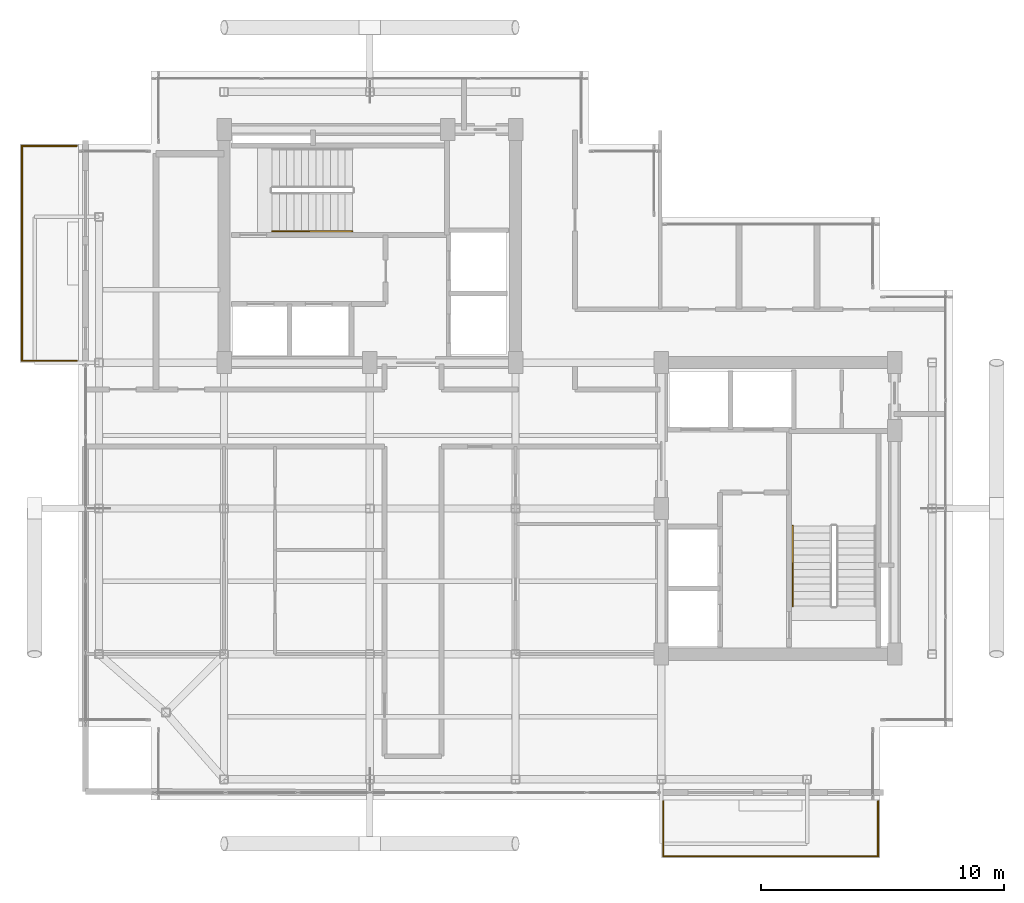
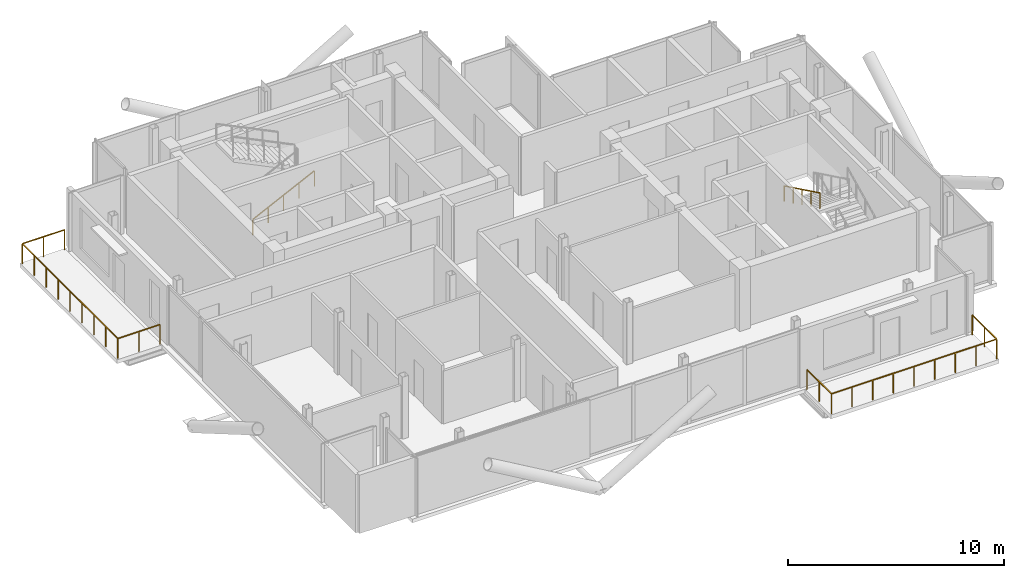
# One storey, part 17 of 18: 4 railings.
"""IFC4 building model written with IfcOpenShell, lengths in metres."""

from ifc_helpers import new_model, si_unit, direction, frame, origin, origin_2d, place, context, subcontext, project, spatial, rectangle, extrude, material, type_object, element, save


model = new_model("IFC4")

# Units and contexts
model_context = context("Model", 3, precision=1e-05, world=origin(), true_north=direction((0.0, 1.0)))
body_context = subcontext(model_context, "Body", "Model", "MODEL_VIEW")
ifc_project = project(units=[si_unit("LENGTHUNIT", "METRE"), si_unit("AREAUNIT", "SQUARE_METRE"), si_unit("VOLUMEUNIT", "CUBIC_METRE"), si_unit("PLANEANGLEUNIT", "RADIAN"), si_unit("MASSUNIT", "GRAM", prefix="KILO"), si_unit("THERMODYNAMICTEMPERATUREUNIT", "KELVIN"), si_unit("POWERUNIT", "WATT")], contexts=[model_context])

# Site, building, storey
site_placement = place(None, origin())
site = spatial("IfcSite", under=ifc_project, at=site_placement, CompositionType="ELEMENT")
building_placement = place(site_placement, origin())
building = spatial("IfcBuilding", under=site, at=building_placement, Name="Svarakhadi Broadcast Tower", CompositionType="ELEMENT")
storey_placement = place(building_placement, frame((0.0, 0.0, 246.699951171875)))
storey = spatial("IfcBuildingStorey", under=building, at=storey_placement, Name="L61", CompositionType="ELEMENT", Elevation=246.699951171875)

# Railings
ifc_material_1 = material(Name="Laminated Structural SentryGlas Balustrade 25.5 mm", Category="glass")
railing_type_1 = type_object("IfcRailingType", Name="Guard_Balcony_GR01", PredefinedType="BALUSTRADE", material=ifc_material_1)
railing_1_placement = place(storey_placement, frame((24.080078125, -0.06005859375, 0.0)))
element("IfcRailing", 1, at=railing_1_placement, inside=storey, type_object=railing_type_1, Name="L61 South Tree Balcony Guard GR-05", PredefinedType="BALUSTRADE", context=body_context, shape_type="SweptSolid", body=[
    extrude(rectangle(XDim=0.048095703125, YDim=0.048095703125, at=origin_2d()), frame((0.0, 0.0, 1.1259765625), z_axis=(0.0, -1.0, 0.0), x_axis=(1.0, 0.0, 0.0)), (0.0, 0.0, 1.0), 2.260009765625),
    extrude(rectangle(XDim=0.048095703125, YDim=0.048095703125, at=origin_2d()), frame((0.0, -2.260009765625, 1.1259765625), z_axis=(1.0, 0.0, 0.0), x_axis=(0.0, 1.0, 0.0)), (0.0, 0.0, 1.0), 8.83984375),
    extrude(rectangle(XDim=0.048095703125, YDim=0.048095703125, at=origin_2d()), frame((8.83984375, -2.260009765625, 1.1259765625), z_axis=(0.0, 1.0, 0.0), x_axis=(-1.0, 0.0, 0.0)), (0.0, 0.0, 1.0), 2.260009765625),
    extrude(rectangle(XDim=0.0419921875, YDim=0.0419921875, at=origin_2d()), origin(), (0.0, 0.0, 1.0), 1.101806640625),
    extrude(rectangle(XDim=0.0419921875, YDim=0.0419921875, at=origin_2d()), frame((0.0, -1.1298828125, 0.0)), (0.0, 0.0, 1.0), 1.101806640625),
    extrude(rectangle(XDim=0.0419921875, YDim=0.0419921875, at=origin_2d()), frame((0.0, -2.260009765625, 0.0)), (0.0, 0.0, 1.0), 1.101806640625),
    extrude(rectangle(XDim=0.0419921875, YDim=0.0419921875, at=origin_2d()), frame((1.10498046875, -2.260009765625, 0.0)), (0.0, 0.0, 1.0), 1.101806640625),
    extrude(rectangle(XDim=0.0419921875, YDim=0.0419921875, at=origin_2d()), frame((2.2099609375, -2.260009765625, 0.0)), (0.0, 0.0, 1.0), 1.101806640625),
    extrude(rectangle(XDim=0.0419921875, YDim=0.0419921875, at=origin_2d()), frame((3.31494140625, -2.260009765625, 0.0)), (0.0, 0.0, 1.0), 1.101806640625),
    extrude(rectangle(XDim=0.0419921875, YDim=0.0419921875, at=origin_2d()), frame((4.419921875, -2.260009765625, 0.0)), (0.0, 0.0, 1.0), 1.101806640625),
    extrude(rectangle(XDim=0.0419921875, YDim=0.0419921875, at=origin_2d()), frame((5.52490234375, -2.260009765625, 0.0)), (0.0, 0.0, 1.0), 1.101806640625),
    extrude(rectangle(XDim=0.0419921875, YDim=0.0419921875, at=origin_2d()), frame((6.6298828125, -2.260009765625, 0.0)), (0.0, 0.0, 1.0), 1.101806640625),
    extrude(rectangle(XDim=0.0419921875, YDim=0.0419921875, at=origin_2d()), frame((7.73486328125, -2.260009765625, 0.0)), (0.0, 0.0, 1.0), 1.101806640625),
    extrude(rectangle(XDim=0.0419921875, YDim=0.0419921875, at=origin_2d()), frame((8.83984375, -2.260009765625, 0.0)), (0.0, 0.0, 1.0), 1.101806640625),
    extrude(rectangle(XDim=0.0419921875, YDim=0.0419921875, at=origin_2d()), frame((8.83984375, -1.1298828125, 0.0)), (0.0, 0.0, 1.0), 1.101806640625),
    extrude(rectangle(XDim=0.0419921875, YDim=0.0419921875, at=origin_2d()), frame((8.83984375, 0.0, 0.0)), (0.0, 0.0, 1.0), 1.101806640625),
])
railing_2_placement = place(storey_placement, frame((-0.06005859375, 18.080078125, 0.0)))
element("IfcRailing", 2, at=railing_2_placement, inside=storey, type_object=railing_type_1, Name="L61 West Tree Balcony Guard GR-05", PredefinedType="BALUSTRADE", context=body_context, shape_type="SweptSolid", body=[
    extrude(rectangle(XDim=0.048095703125, YDim=0.048095703125, at=origin_2d()), frame((0.0, 0.0, 1.1259765625), z_axis=(-1.0, 0.0, 0.0), x_axis=(0.0, -1.0, 0.0)), (0.0, 0.0, 1.0), 2.260009765625),
    extrude(rectangle(XDim=0.048095703125, YDim=0.048095703125, at=origin_2d()), frame((-2.260009765625, 0.0, 1.1259765625), z_axis=(0.0, 1.0, 0.0), x_axis=(-1.0, 0.0, 0.0)), (0.0, 0.0, 1.0), 8.83984375),
    extrude(rectangle(XDim=0.048095703125, YDim=0.048095703125, at=origin_2d()), frame((-2.260009765625, 8.83984375, 1.1259765625), z_axis=(1.0, 0.0, 0.0), x_axis=(0.0, 1.0, 0.0)), (0.0, 0.0, 1.0), 2.260009765625),
    extrude(rectangle(XDim=0.0419921875, YDim=0.0419921875, at=origin_2d()), origin(), (0.0, 0.0, 1.0), 1.101806640625),
    extrude(rectangle(XDim=0.0419921875, YDim=0.0419921875, at=origin_2d()), frame((-1.1298828125, 0.0, 0.0)), (0.0, 0.0, 1.0), 1.101806640625),
    extrude(rectangle(XDim=0.0419921875, YDim=0.0419921875, at=origin_2d()), frame((-2.260009765625, 0.0, 0.0)), (0.0, 0.0, 1.0), 1.101806640625),
    extrude(rectangle(XDim=0.0419921875, YDim=0.0419921875, at=origin_2d()), frame((-2.260009765625, 1.10498046875, 0.0)), (0.0, 0.0, 1.0), 1.101806640625),
    extrude(rectangle(XDim=0.0419921875, YDim=0.0419921875, at=origin_2d()), frame((-2.260009765625, 2.2099609375, 0.0)), (0.0, 0.0, 1.0), 1.101806640625),
    extrude(rectangle(XDim=0.0419921875, YDim=0.0419921875, at=origin_2d()), frame((-2.260009765625, 3.31494140625, 0.0)), (0.0, 0.0, 1.0), 1.101806640625),
    extrude(rectangle(XDim=0.0419921875, YDim=0.0419921875, at=origin_2d()), frame((-2.260009765625, 4.419921875, 0.0)), (0.0, 0.0, 1.0), 1.101806640625),
    extrude(rectangle(XDim=0.0419921875, YDim=0.0419921875, at=origin_2d()), frame((-2.260009765625, 5.52490234375, 0.0)), (0.0, 0.0, 1.0), 1.101806640625),
    extrude(rectangle(XDim=0.0419921875, YDim=0.0419921875, at=origin_2d()), frame((-2.260009765625, 6.6298828125, 0.0)), (0.0, 0.0, 1.0), 1.101806640625),
    extrude(rectangle(XDim=0.0419921875, YDim=0.0419921875, at=origin_2d()), frame((-2.260009765625, 7.73486328125, 0.0)), (0.0, 0.0, 1.0), 1.101806640625),
    extrude(rectangle(XDim=0.0419921875, YDim=0.0419921875, at=origin_2d()), frame((-2.260009765625, 8.83984375, 0.0)), (0.0, 0.0, 1.0), 1.101806640625),
    extrude(rectangle(XDim=0.0419921875, YDim=0.0419921875, at=origin_2d()), frame((-1.1298828125, 8.83984375, 0.0)), (0.0, 0.0, 1.0), 1.101806640625),
    extrude(rectangle(XDim=0.0419921875, YDim=0.0419921875, at=origin_2d()), frame((0.0, 8.83984375, 0.0)), (0.0, 0.0, 1.0), 1.101806640625),
])
ifc_material_2 = material(Name="Anodised Bronze Aluminium AA 6063-T6", Category="aluminium")
railing_type_2 = type_object("IfcRailingType", Name="Handrail_Stair_HR01", PredefinedType="HANDRAIL", material=ifc_material_2)
railing_3_placement = place(storey_placement, frame((7.97998046875, 23.409912109375, 0.14599609375)))
element("IfcRailing", 3, at=railing_3_placement, inside=storey, type_object=railing_type_2, Name="L61 ST-01 stair handrail 1", PredefinedType="HANDRAIL", context=body_context, shape_type="SweptSolid", body=[
    extrude(rectangle(XDim=0.048095703125, YDim=0.048095703125, at=origin_2d()), frame((0.0, 0.0, 0.8759765625), z_axis=(0.899387838337, 0.0, 0.437151594131), x_axis=(0.0, 1.0, 0.0)), (0.0, 0.0, 1.0), 3.669189453125),
    extrude(rectangle(XDim=0.0419921875, YDim=0.0419921875, at=origin_2d()), origin(), (0.0, 0.0, 1.0), 0.851806640625),
    extrude(rectangle(XDim=0.0419921875, YDim=0.0419921875, at=origin_2d()), frame((0.824951171875, 0.0, 0.40087890625)), (0.0, 0.0, 1.0), 0.851806640625),
    extrude(rectangle(XDim=0.0419921875, YDim=0.0419921875, at=origin_2d()), frame((1.64990234375, 0.0, 0.802001953125)), (0.0, 0.0, 1.0), 0.851806640625),
    extrude(rectangle(XDim=0.0419921875, YDim=0.0419921875, at=origin_2d()), frame((2.47509765625, 0.0, 1.203125)), (0.0, 0.0, 1.0), 0.851806640625),
    extrude(rectangle(XDim=0.0419921875, YDim=0.0419921875, at=origin_2d()), frame((3.300048828125, 0.0, 1.60400390625)), (0.0, 0.0, 1.0), 0.851806640625),
])
railing_4_placement = place(storey_placement, frame((29.409912109375, 11.280029296875, 1.89599609375)))
element("IfcRailing", 4, at=railing_4_placement, inside=storey, type_object=railing_type_2, Name="L61 ST-02 stair handrail 2", PredefinedType="HANDRAIL", context=body_context, shape_type="SweptSolid", body=[
    extrude(rectangle(XDim=0.048095703125, YDim=0.048095703125, at=origin_2d()), frame((0.0, 0.0, 0.8759765625), z_axis=(0.0, -0.899387838337, 0.437151594131), x_axis=(1.0, 0.0, 0.0)), (0.0, 0.0, 1.0), 3.669189453125),
    extrude(rectangle(XDim=0.0419921875, YDim=0.0419921875, at=origin_2d()), origin(), (0.0, 0.0, 1.0), 0.851806640625),
    extrude(rectangle(XDim=0.0419921875, YDim=0.0419921875, at=origin_2d()), frame((0.0, -0.824951171875, 0.40087890625)), (0.0, 0.0, 1.0), 0.851806640625),
    extrude(rectangle(XDim=0.0419921875, YDim=0.0419921875, at=origin_2d()), frame((0.0, -1.64990234375, 0.802001953125)), (0.0, 0.0, 1.0), 0.851806640625),
    extrude(rectangle(XDim=0.0419921875, YDim=0.0419921875, at=origin_2d()), frame((0.0, -2.47509765625, 1.203125)), (0.0, 0.0, 1.0), 0.851806640625),
    extrude(rectangle(XDim=0.0419921875, YDim=0.0419921875, at=origin_2d()), frame((0.0, -3.300048828125, 1.60400390625)), (0.0, 0.0, 1.0), 0.851806640625),
])

save(model, "model.ifc")
